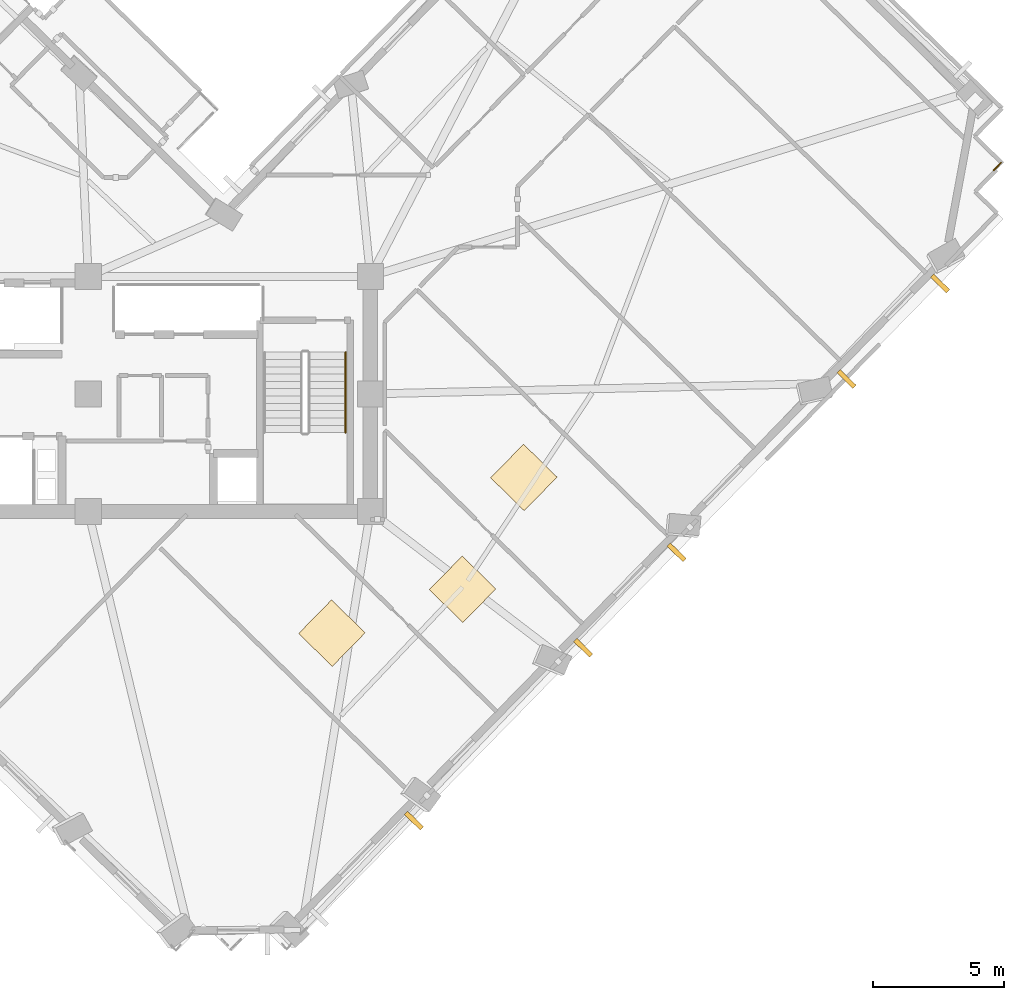
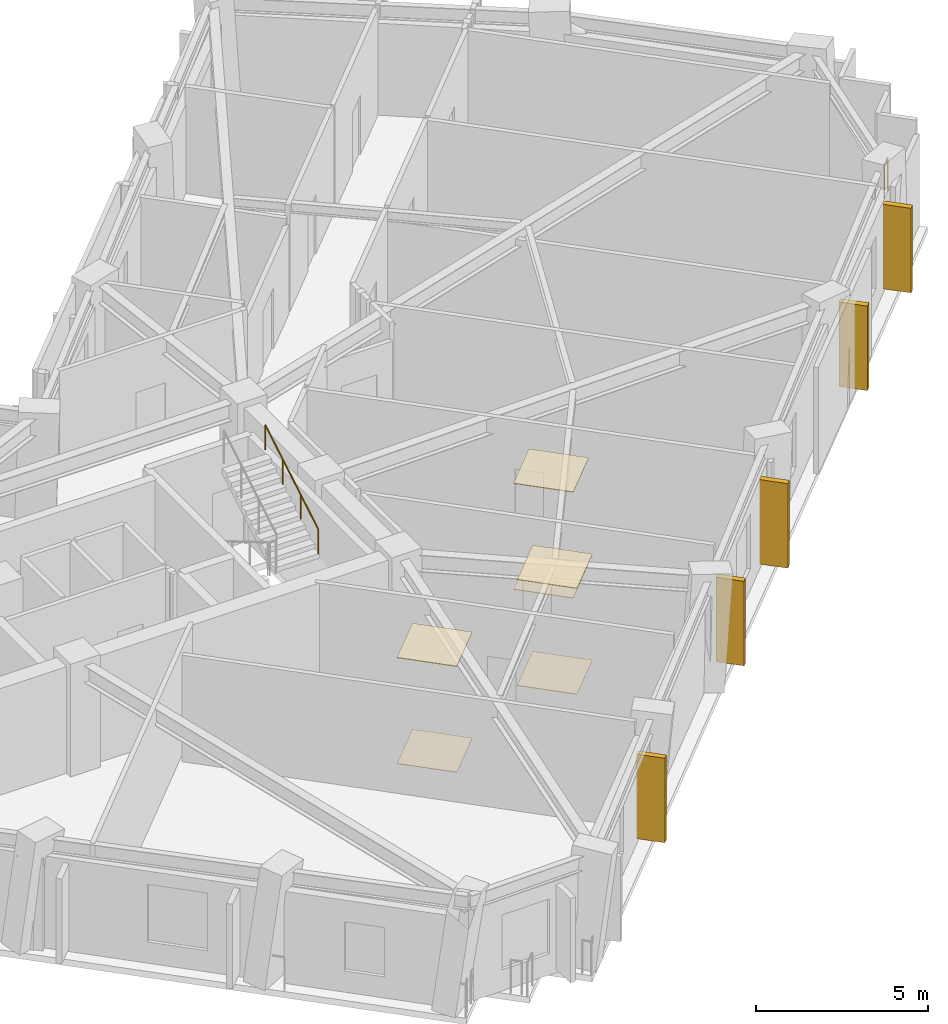
# One storey, part 10 of 12: 6 coverings, 5 shading devices, 2 railings.
"""IFC4 building model written with IfcOpenShell, lengths in metres."""

from ifc_helpers import new_model, si_unit, direction, frame, origin, origin_2d, place, context, subcontext, project, spatial, rectangle, circle, extrude, material, layer, layer_set, type_object, element, save


model = new_model("IFC4")

# Units and contexts
model_context = context("Model", 3, precision=1e-05, world=origin(), true_north=direction((0.0, 1.0)))
body_context = subcontext(model_context, "Body", "Model", "MODEL_VIEW")
ifc_project = project(units=[si_unit("LENGTHUNIT", "METRE"), si_unit("AREAUNIT", "SQUARE_METRE"), si_unit("VOLUMEUNIT", "CUBIC_METRE"), si_unit("PLANEANGLEUNIT", "RADIAN"), si_unit("MASSUNIT", "GRAM", prefix="KILO")], contexts=[model_context])

# Site, building, storey
site_placement = place(None, origin())
site = spatial("IfcSite", under=ifc_project, at=site_placement, CompositionType="ELEMENT")
building_placement = place(site_placement, origin())
building = spatial("IfcBuilding", under=site, at=building_placement, Name="Gaonmaruhae Medical Tower", CompositionType="ELEMENT")
storey_placement = place(building_placement, frame((0.0, 0.0, 219.199951171875)))
storey = spatial("IfcBuildingStorey", under=building, at=storey_placement, Name="L52", CompositionType="ELEMENT", Elevation=219.199951171875)

# Coverings
ifc_material_1 = material(Name="Acoustic mineral ceiling tile", Category="finish")
ifc_layer_1 = layer(ifc_material_1, 0.02490234375)
ifc_layer_set_1 = layer_set([ifc_layer_1], Name="Acoustic mineral ceiling tile")
covering_type_1 = type_object("IfcCoveringType", Name="CLG-01 Antimicrobial Acoustic Mineral Ceiling", PredefinedType="CEILING", material=ifc_layer_set_1)
for number, where, z_axis, x_axis, name in (
    (1, (34.126953125, 3.142578125, 3.755126953125), (0.0, 0.0, 1.0), (0.699663340513, 0.714472679633, 0.0), "L52 Clinical Room Acoustic Ceiling 2"),
    (2, (39.1298828125, 4.821533203125, 3.755126953125), (0.0, 0.0, 1.0), (0.699663340513, 0.714472679633, 0.0), "L52 Clinical Room Acoustic Ceiling 3"),
    (3, (41.476318359375, 9.10205078125, 3.755126953125), (0.0, 0.0, 1.0), (0.699663340513, 0.714472679633, 0.0), "L52 Clinical Room Acoustic Ceiling 4"),
):
    element("IfcCovering", number, at=place(storey_placement, frame(where, z_axis=z_axis, x_axis=x_axis)), inside=storey, type_object=covering_type_1, Name=name, PredefinedType="CEILING", context=body_context, shape_type="SweptSolid", body=[
        extrude(rectangle(XDim=1.800048828125, YDim=1.800048828125, at=origin_2d()), origin(), (0.0, 0.0, 1.0), 0.02490234375),
    ])
ifc_material_2 = material(Name="Seamless clinical vinyl flooring", Category="finish")
ifc_layer_2 = layer(ifc_material_2, 0.014892578125)
ifc_layer_set_2 = layer_set([ifc_layer_2], Name="Seamless clinical vinyl flooring")
covering_type_2 = type_object("IfcCoveringType", Name="FLR-01 Seamless Clinical Antistatic Vinyl Flooring", PredefinedType="FLOORING", material=ifc_layer_set_2)
for number, where, z_axis, x_axis, name in (
    (4, (34.126953125, 3.142578125, 0.0), (0.0, 0.0, 1.0), (0.699663340513, 0.714472679633, 0.0), "L52 Clinical Room Vinyl Flooring 2"),
    (5, (39.1298828125, 4.821533203125, 0.0), (0.0, 0.0, 1.0), (0.699663340513, 0.714472679633, 0.0), "L52 Clinical Room Vinyl Flooring 3"),
    (6, (41.476318359375, 9.10205078125, 0.0), (0.0, 0.0, 1.0), (0.699663340513, 0.714472679633, 0.0), "L52 Clinical Room Vinyl Flooring 4"),
):
    element("IfcCovering", number, at=place(storey_placement, frame(where, z_axis=z_axis, x_axis=x_axis)), inside=storey, type_object=covering_type_2, Name=name, PredefinedType="FLOORING", context=body_context, shape_type="SweptSolid", body=[
        extrude(rectangle(XDim=1.800048828125, YDim=1.800048828125, at=origin_2d()), origin(), (0.0, 0.0, 1.0), 0.014892578125),
    ])

# Railings
ifc_material_3 = material(Name="Stainless steel 316L and laminated safety glass", Category="steel")
ifc_layer_3 = layer(ifc_material_3, 0.080078125)
ifc_layer_set_3 = layer_set([ifc_layer_3], Name="Stainless steel 316L and laminated safety glass")
railing_type_1 = type_object("IfcRailingType", Name="GD-120 Outdoor Terrace Safety Glass & Steel Balustrade", PredefinedType="BALUSTRADE", material=ifc_layer_set_3)
railing_1_placement = place(storey_placement, frame((59.739013671875, 21.149169921875, 0.0)))
element("IfcRailing", 7, at=railing_1_placement, inside=storey, type_object=railing_type_1, Name="L52 Perimeter Slab Edge Safety Balustrade 03", PredefinedType="BALUSTRADE", context=body_context, shape_type="SweptSolid", body=[
    extrude(circle(Radius=0.02392578125, at=origin_2d()), frame((0.0, 0.0, 1.17578125), z_axis=(-0.699618190007, -0.71451689148, 0.0), x_axis=(0.71451689148, -0.699618190007, 0.0)), (0.0, 0.0, 1.0), 0.393310546875),
    extrude(circle(Radius=0.02099609375, at=origin_2d()), origin(), (0.0, 0.0, 1.0), 1.15185546875),
    extrude(circle(Radius=0.02099609375, at=origin_2d()), frame((-0.275146484375, -0.281005859375, 0.0)), (0.0, 0.0, 1.0), 1.15185546875),
])
ifc_material_4 = material(Name="Stainless steel 304 handrail", Category="steel")
railing_type_2 = type_object("IfcRailingType", Name="HR-092 Continuous Stainless Steel Stair Handrail", PredefinedType="HANDRAIL", material=ifc_material_4)
railing_2_placement = place(storey_placement, frame((34.64990234375, 10.820068359375, 2.166748046875)))
element("IfcRailing", 8, at=railing_2_placement, inside=storey, type_object=railing_type_2, Name="L52 ST-02 stair handrail 2", PredefinedType="HANDRAIL", context=body_context, shape_type="SweptSolid", body=[
    extrude(circle(Radius=0.02392578125, at=origin_2d()), frame((0.0, 0.0, 0.8759765625), z_axis=(0.0, 0.859290745958, 0.51148745235), x_axis=(-1.0, 0.0, 0.0)), (0.0, 0.0, 1.0), 3.584228515625),
    extrude(circle(Radius=0.02099609375, at=origin_2d()), origin(), (0.0, 0.0, 1.0), 0.851806640625),
    extrude(circle(Radius=0.02099609375, at=origin_2d()), frame((0.0, 1.026611328125, 0.611083984375)), (0.0, 0.0, 1.0), 0.851806640625),
    extrude(circle(Radius=0.02099609375, at=origin_2d()), frame((0.0, 2.05322265625, 1.22216796875)), (0.0, 0.0, 1.0), 0.851806640625),
    extrude(circle(Radius=0.02099609375, at=origin_2d()), frame((0.0, 3.079833984375, 1.833251953125)), (0.0, 0.0, 1.0), 0.851806640625),
])

# Shading devices
ifc_material_5 = material(Name="Pigmented coral precast concrete C45/55", Category="concrete")
shading_device_type = type_object("IfcShadingDeviceType", Name="SD-FIN1 Tower Vertical Coral Precast Shading Fin", PredefinedType="USERDEFINED", material=ifc_material_5)
for number, where, z_axis, x_axis, name in (
    (9, (37.26708984375, -4.03515625, 0.132568359375), (0.0, 0.0, 1.0), (-0.699663340513, -0.714472679633, 0.0), "L52 Vertical Coral Precast Shading Fin S01"),
    (10, (47.323974609375, 6.234619140625, 0.132568359375), (0.0, 0.0, 1.0), (-0.699663340513, -0.714472679633, 0.0), "L52 Vertical Coral Precast Shading Fin S03"),
    (11, (43.746337890625, 2.581298828125, 0.132568359375), (0.0, 0.0, 1.0), (-0.699663340513, -0.714472679633, 0.0), "L52 Vertical Coral Precast Shading Fin S03B"),
    (12, (57.406494140625, 16.530517578125, 0.132568359375), (0.0, 0.0, 1.0), (-0.699663340513, -0.714472679633, 0.0), "L52 Vertical Coral Precast Shading Fin S05"),
    (13, (53.825439453125, 12.87353515625, 0.132568359375), (0.0, 0.0, 1.0), (-0.699663340513, -0.714472679633, 0.0), "L52 Vertical Coral Precast Shading Fin S05B"),
):
    element("IfcShadingDevice", number, at=place(storey_placement, frame(where, z_axis=z_axis, x_axis=x_axis)), inside=storey, type_object=shading_device_type, Name=name, ObjectType="FIN", PredefinedType="USERDEFINED", context=body_context, shape_type="SweptSolid", body=[
        extrude(rectangle(XDim=0.179931640625, YDim=0.85009765625, at=origin_2d()), origin(), (0.0, 0.0, 1.0), 3.0),
    ])

save(model, "model.ifc")
